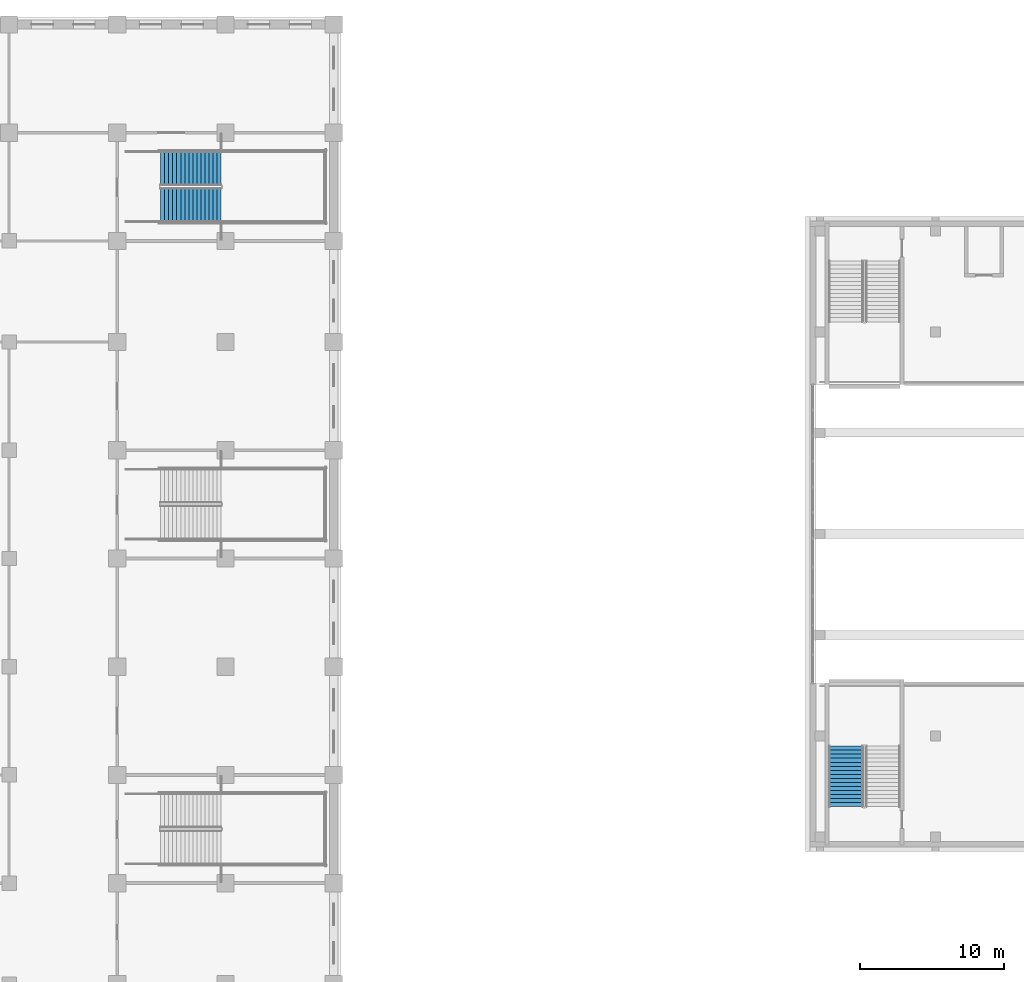
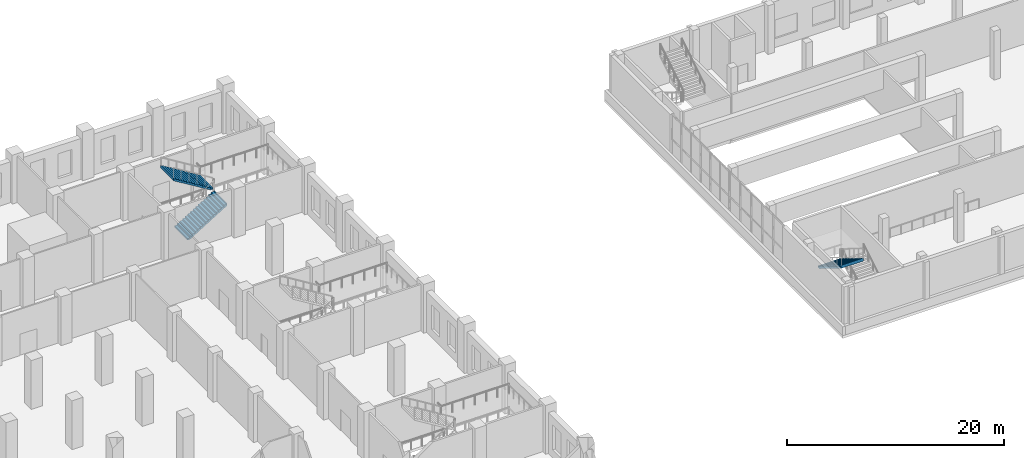
# One storey, part 21 of 35: 3 stair flights, 2 elements without a shape of their own.
"""IFC4 building model written with IfcOpenShell, lengths in metres."""

import ifcopenshell
import ifcopenshell.guid

model = None  # the IFC model being written
_history = None  # IfcOwnerHistory: only IFC2X3 demands one
_inside = {}  # id of a spatial element -> (the spatial element, [elements in it])
_under = {}  # id of a project, library or spatial element -> (it, [spatial elements below it])
_declared = {}  # id of a project -> (the project, [libraries it declares])
_typed = {}  # id of a type object -> (the type object, [elements of that type])
_made_of = {}  # id of a material, layer set ... -> (it, [elements and type objects made of it])


def new_model(schema):
    """Start an empty IFC model of exactly this schema.

    Asked for "IFC4X3", IfcOpenShell would pick the latest addendum, in which some entities
    have other attributes; the version numbers below select the first issue.
    IFC2X3 requires an IfcOwnerHistory on every rooted entity: one is made here for all.
    """
    global model, _history
    if schema == "IFC4X3":
        model = ifcopenshell.file(schema_version=(4, 3, 0, 0))
    else:
        model = ifcopenshell.file(schema=schema)
    _inside.clear()
    _under.clear()
    _declared.clear()
    _typed.clear()
    _made_of.clear()
    _history = None
    if model.schema == "IFC2X3":
        org = make("IfcOrganization", Name="unknown")
        user = make(
            "IfcPersonAndOrganization",
            ThePerson=make("IfcPerson", FamilyName="unknown"),
            TheOrganization=org,
        )
        app = make(
            "IfcApplication",
            ApplicationDeveloper=org,
            Version="unknown",
            ApplicationFullName="unknown",
            ApplicationIdentifier="unknown",
        )
        _history = make(
            "IfcOwnerHistory",
            OwningUser=user,
            OwningApplication=app,
            ChangeAction="ADDED",
            CreationDate=0,
        )
    return model


def make(cls, **values):
    """One entity of the class cls with the attributes given. An attribute that is None is left unset."""
    return model.create_entity(
        cls, **{name: value for name, value in values.items() if value is not None}
    )


def rooted(cls, **values):
    """An entity with a GlobalId (a new one), such as an element, a storey or a relation."""
    return make(cls, GlobalId=ifcopenshell.guid.new(), OwnerHistory=_history, **values)


def si_unit(unit_type, name, prefix=None):
    """IfcSIUnit, for example si_unit("LENGTHUNIT", "METRE", prefix="MILLI")."""
    return make("IfcSIUnit", UnitType=unit_type, Prefix=prefix, Name=name)


def assignment(units):
    """IfcUnitAssignment: the units of a project."""
    return None if units is None else make("IfcUnitAssignment", Units=units)


def point(xyz):
    """IfcCartesianPoint."""
    return None if xyz is None else make("IfcCartesianPoint", Coordinates=xyz)


def direction(xyz):
    """IfcDirection."""
    return None if xyz is None else make("IfcDirection", DirectionRatios=xyz)


def frame(location, z_axis=None, x_axis=None):
    """IfcAxis2Placement3D, a coordinate frame: its origin and axes. An axis left out is left unset."""
    return make(
        "IfcAxis2Placement3D",
        Location=point(location),
        Axis=direction(z_axis),
        RefDirection=direction(x_axis),
    )


def origin():
    """The frame at (0, 0, 0) with its axes left unset."""
    return frame((0.0, 0.0, 0.0))


def place(relative_to, where):
    """IfcLocalPlacement: puts the frame where relative to a parent placement (None: the world)."""
    return make(
        "IfcLocalPlacement", PlacementRelTo=relative_to, RelativePlacement=where
    )


def context(
    kind, dimensions, precision=None, world=None, true_north=None, identifier=None
):
    """IfcGeometricRepresentationContext, for example the 3D "Model" context."""
    return make(
        "IfcGeometricRepresentationContext",
        ContextIdentifier=identifier,
        ContextType=kind,
        CoordinateSpaceDimension=dimensions,
        Precision=precision,
        WorldCoordinateSystem=world,
        TrueNorth=true_north,
    )


def subcontext(parent, identifier, kind, view, scale=None):
    """IfcGeometricRepresentationSubContext, for example "Body" below "Model"."""
    return make(
        "IfcGeometricRepresentationSubContext",
        ContextIdentifier=identifier,
        ContextType=kind,
        ParentContext=parent,
        TargetScale=scale,
        TargetView=view,
    )


def project(units=None, contexts=None):
    """IfcProject with its units and contexts."""
    return rooted(
        "IfcProject",
        Name="project",
        RepresentationContexts=contexts,
        UnitsInContext=assignment(units),
    )


def spatial(cls, under=None, at=None, **own):
    """A site, building, storey or space (cls), placed at a placement, below another one or the project."""
    s = rooted(cls, ObjectPlacement=at, **own)
    if under is not None:
        _under.setdefault(under.id(), (under, []))[1].append(s)
    return s


def polyline(points):
    """IfcPolyline through the points."""
    return make("IfcPolyline", Points=[point(p) for p in points])


def outline(outer, holes=None, kind="AREA"):
    """IfcArbitraryClosedProfileDef: a profile drawn as a closed curve; with holes, ...WithVoids."""
    if holes is None:
        return make("IfcArbitraryClosedProfileDef", ProfileType=kind, OuterCurve=outer)
    return make(
        "IfcArbitraryProfileDefWithVoids",
        ProfileType=kind,
        OuterCurve=outer,
        InnerCurves=holes,
    )


def extrude(swept, where, along, depth):
    """IfcExtrudedAreaSolid: the profile swept, set in the frame where, extruded along a direction by depth."""
    return make(
        "IfcExtrudedAreaSolid",
        SweptArea=swept,
        Position=where,
        ExtrudedDirection=direction(along),
        Depth=depth,
    )


def shape(context_of_items, identifier, shape_type, items):
    """IfcShapeRepresentation: the items that make up one representation, for example the "Body"."""
    return make(
        "IfcShapeRepresentation",
        ContextOfItems=context_of_items,
        RepresentationIdentifier=identifier,
        RepresentationType=shape_type,
        Items=items,
    )


def material(Name=None, Category=None):
    """IfcMaterial."""
    return make("IfcMaterial", Name=Name, Category=Category)


def made_of(thing, what):
    """Note that an element or type object is made of a material, layer set ...; save() writes the relation."""
    if what is not None:
        _made_of.setdefault(what.id(), (what, []))[1].append(thing)
    return thing


def type_object(cls, material=None, **own):
    """A type object (cls), such as IfcWallType, which elements share."""
    return made_of(rooted(cls, **own), material)


def element(
    cls,
    number,
    at=None,
    inside=None,
    cuts=None,
    type_object=None,
    material=None,
    context=None,
    identifier="Body",
    shape_type=None,
    held_by="IfcProductDefinitionShape",
    body=None,
    shapes=None,
    **own,
):
    """One element of the class cls, such as IfcWall. Its Tag is "e" and its number.

    at: its placement. inside: the storey or other place that contains it. cuts: it is an
    opening in that element (IfcRelVoidsElement). A single representation is given by context,
    identifier, shape_type and body (its items); several are given by shapes. held_by: the class
    of the entity that holds the representations. save() writes the other relations.
    """
    e = rooted(cls, Tag="e%d" % number, ObjectPlacement=at, **own)
    if body is not None:
        shapes = [shape(context, identifier, shape_type, body)]
    if shapes is not None:
        e.Representation = make(held_by, Representations=shapes)
    if inside is not None:
        _inside.setdefault(inside.id(), (inside, []))[1].append(e)
    if cuts is not None:
        rooted(
            "IfcRelVoidsElement", RelatingBuildingElement=cuts, RelatedOpeningElement=e
        )
    if type_object is not None:
        _typed.setdefault(type_object.id(), (type_object, []))[1].append(e)
    return made_of(e, material)


def aggregate(whole, parts):
    """IfcRelAggregates: a whole, such as a stair, and the parts it consists of."""
    return rooted("IfcRelAggregates", RelatingObject=whole, RelatedObjects=parts)


def save(model, path):
    """Write the relations noted so far, then the file.

    IfcRelAggregates (storeys below a building ...), IfcRelContainedInSpatialStructure (elements
    in a storey), IfcRelDefinesByType, IfcRelAssociatesMaterial and IfcRelDeclares: one each for
    every whole, place, type object, material and project.
    """
    for whole, parts in _under.values():
        aggregate(whole, parts)
    for where, things in _inside.values():
        rooted(
            "IfcRelContainedInSpatialStructure",
            RelatedElements=things,
            RelatingStructure=where,
        )
    for kind, things in _typed.values():
        rooted("IfcRelDefinesByType", RelatedObjects=things, RelatingType=kind)
    for what, things in _made_of.values():
        rooted("IfcRelAssociatesMaterial", RelatedObjects=things, RelatingMaterial=what)
    for by, libraries in _declared.values():
        rooted("IfcRelDeclares", RelatingContext=by, RelatedDefinitions=libraries)
    model.write(path)


model = new_model("IFC4")

# Units and contexts
model_context = context("Model", 3, precision=1e-05, world=origin(), true_north=direction((0.0, 1.0)))
body_context = subcontext(model_context, "Body", "Model", "MODEL_VIEW")
ifc_project = project(units=[si_unit("LENGTHUNIT", "METRE"), si_unit("AREAUNIT", "SQUARE_METRE"), si_unit("VOLUMEUNIT", "CUBIC_METRE"), si_unit("PLANEANGLEUNIT", "RADIAN"), si_unit("MASSUNIT", "GRAM", prefix="KILO")], contexts=[model_context])

# Site, building, storey
site_placement = place(None, origin())
site = spatial("IfcSite", under=ifc_project, at=site_placement, CompositionType="ELEMENT")
building_placement = place(site_placement, origin())
building = spatial("IfcBuilding", under=site, at=building_placement, Name="Tamorin Gate", CompositionType="ELEMENT")
storey_placement = place(building_placement, frame((0.0, 0.0, 8.0)))
storey = spatial("IfcBuildingStorey", under=building, at=storey_placement, Name="L01", CompositionType="ELEMENT", Elevation=8.0)

# Stair, stair flight
ifc_material_1 = material(Name="Concrete C40/50", Category="concrete")
stair_type_1 = type_object("IfcStairType", Name="Museum exit stair 2400 C40/50", PredefinedType="HALF_TURN_STAIR", material=ifc_material_1)
stair_1_placement = place(storey_placement, origin())
stair_1 = element("IfcStair", 1, at=stair_1_placement, inside=storey, type_object=stair_type_1, Name="L01 PS8", PredefinedType="HALF_TURN_STAIR")
stair_flight_type_1 = type_object("IfcStairFlightType", Name="Museum exit stair flight 2400 C40/50", PredefinedType="STRAIGHT", material=ifc_material_1)
stair_flight_1_placement = place(storey_placement, frame((147.5, 62.0, 2.75), z_axis=(0.0, 0.0, 1.0), x_axis=(0.0, -1.0, 0.0)))
stair_flight_1 = element("IfcStairFlight", 2, at=stair_flight_1_placement, type_object=stair_flight_type_1, Name="PS8 flight 2", NumberOfRisers=16, NumberOfTreads=15, PredefinedType="STRAIGHT", RiserHeight=0.171875, TreadLength=0.28, context=body_context, shape_type="SweptSolid", body=[
    extrude(outline(polyline([(-0.00048828125, 0.0), (-0.00048828125, 0.001708984375), (-0.00048828125, 0.00341796875), (-0.00048828125, 0.005126953125), (-0.00048828125, 0.0068359375), (-0.00048828125, 0.008544921875), (-0.00048828125, 0.01025390625), (-0.00048828125, 0.011962890625), (-0.00048828125, 0.013671875), (-0.00048828125, 0.015380859375), (-0.00048828125, 0.01708984375), (-0.00048828125, 0.018798828125), (-0.00048828125, 0.0205078125), (-0.00048828125, 0.022216796875), (-0.00048828125, 0.02392578125), (-0.00048828125, 0.025634765625), (-0.00048828125, 0.02734375), (-0.00048828125, 0.02880859375), (-0.00048828125, 0.030517578125), (-0.00048828125, 0.0322265625), (-0.00048828125, 0.033935546875), (-0.00048828125, 0.03564453125), (-0.00048828125, 0.037353515625), (-0.00048828125, 0.0390625), (-0.00048828125, 0.040771484375), (-0.00048828125, 0.04248046875), (-0.00048828125, 0.044189453125), (-0.00048828125, 0.0458984375), (-0.00048828125, 0.047607421875), (-0.00048828125, 0.04931640625), (-0.00048828125, 0.051025390625), (-0.00048828125, 0.052734375), (-0.00048828125, 0.054443359375), (-0.00048828125, 0.05615234375), (-0.00048828125, 0.057861328125), (-0.00048828125, 0.0595703125), (-0.00048828125, 0.061279296875), (-0.00048828125, 0.06298828125), (-0.00048828125, 0.064697265625), (-0.00048828125, 0.06640625), (-0.00048828125, 0.068115234375), (-0.00048828125, 0.06982421875), (-0.00048828125, 0.071533203125), (-0.00048828125, 0.0732421875), (-0.00048828125, 0.074951171875), (-0.00048828125, 0.07666015625), (-0.00048828125, 0.078369140625), (-0.00048828125, 0.080078125), (-0.00048828125, 0.081787109375), (-0.00048828125, 0.08349609375), (-0.00048828125, 0.085205078125), (-0.00048828125, 0.086669921875), (-0.00048828125, 0.08837890625), (-0.00048828125, 0.090087890625), (-0.00048828125, 0.091796875), (-0.00048828125, 0.093505859375), (-0.00048828125, 0.09521484375), (-0.00048828125, 0.096923828125), (-0.00048828125, 0.0986328125), (-0.00048828125, 0.100341796875), (-0.00048828125, 0.10205078125), (-0.00048828125, 0.103759765625), (-0.00048828125, 0.10546875), (-0.00048828125, 0.107177734375), (-0.00048828125, 0.10888671875), (-0.00048828125, 0.110595703125), (-0.00048828125, 0.1123046875), (-0.00048828125, 0.114013671875), (-0.00048828125, 0.11572265625), (-0.00048828125, 0.117431640625), (-0.00048828125, 0.119140625), (-0.00048828125, 0.120849609375), (-0.00048828125, 0.12255859375), (-0.00048828125, 0.124267578125), (-0.00048828125, 0.1259765625), (-0.00048828125, 0.127685546875), (-0.00048828125, 0.12939453125), (-0.00048828125, 0.131103515625), (-0.00048828125, 0.1328125), (-0.00048828125, 0.134521484375), (-0.00048828125, 0.13623046875), (-0.00048828125, 0.137939453125), (-0.00048828125, 0.1396484375), (-0.00048828125, 0.141357421875), (-0.00048828125, 0.14306640625), (-0.00048828125, 0.14453125), (-0.00048828125, 0.146240234375), (-0.00048828125, 0.14794921875), (-0.00048828125, 0.149658203125), (-0.00048828125, 0.1513671875), (-0.00048828125, 0.153076171875), (-0.00048828125, 0.15478515625), (-0.00048828125, 0.156494140625), (-0.00048828125, 0.158203125), (-0.00048828125, 0.159912109375), (-0.00048828125, 0.16162109375), (-0.00048828125, 0.163330078125), (-0.00048828125, 0.1650390625), (-0.00048828125, 0.166748046875), (-0.00048828125, 0.16845703125), (-0.00048828125, 0.170166015625), (-0.00048828125, 0.171875), (0.280029296875, 0.171875), (0.280029296875, 0.34375), (0.56005859375, 0.34375), (0.56005859375, 0.515625), (0.840087890625, 0.515625), (0.840087890625, 0.6875), (1.1201171875, 0.6875), (1.1201171875, 0.859375), (1.39990234375, 0.859375), (1.39990234375, 1.03125), (1.679931640625, 1.03125), (1.679931640625, 1.203125), (1.9599609375, 1.203125), (1.9599609375, 1.375), (2.239990234375, 1.375), (2.239990234375, 1.546875), (2.52001953125, 1.546875), (2.52001953125, 1.71875), (2.800048828125, 1.71875), (2.800048828125, 1.890625), (3.080078125, 1.890625), (3.080078125, 2.0625), (3.360107421875, 2.0625), (3.360107421875, 2.234375), (3.639892578125, 2.234375), (3.639892578125, 2.40625), (3.919921875, 2.40625), (3.919921875, 2.578125), (4.199951171875, 2.578125), (4.199951171875, 2.75), (4.200439453125, 2.75), (4.200439453125, 2.74658203125), (4.200439453125, 2.7431640625), (4.200439453125, 2.73974609375), (4.200439453125, 2.736328125), (4.200439453125, 2.732666015625), (4.200439453125, 2.729248046875), (4.200439453125, 2.725830078125), (4.200439453125, 2.722412109375), (4.200439453125, 2.718994140625), (4.200439453125, 2.715576171875), (4.200439453125, 2.712158203125), (4.200439453125, 2.708740234375), (4.200439453125, 2.705322265625), (4.200439453125, 2.701904296875), (4.200439453125, 2.6982421875), (4.200439453125, 2.69482421875), (4.200439453125, 2.69140625), (4.200439453125, 2.68798828125), (4.200439453125, 2.6845703125), (4.200439453125, 2.68115234375), (4.200439453125, 2.677734375), (4.200439453125, 2.67431640625), (4.200439453125, 2.6708984375), (4.200439453125, 2.66748046875), (4.200439453125, 2.663818359375), (4.200439453125, 2.660400390625), (4.200439453125, 2.656982421875), (4.200439453125, 2.653564453125), (4.200439453125, 2.650146484375), (4.200439453125, 2.646728515625), (4.200439453125, 2.643310546875), (4.200439453125, 2.639892578125), (4.200439453125, 2.636474609375), (4.200439453125, 2.6328125), (4.200439453125, 2.62939453125), (4.200439453125, 2.6259765625), (4.200439453125, 2.62255859375), (4.200439453125, 2.619140625), (4.200439453125, 2.61572265625), (4.200439453125, 2.6123046875), (4.200439453125, 2.60888671875), (4.200439453125, 2.60546875), (4.200439453125, 2.60205078125), (4.200439453125, 2.598388671875), (4.200439453125, 2.594970703125), (4.200439453125, 2.591552734375), (4.200439453125, 2.588134765625), (4.200439453125, 2.584716796875), (4.200439453125, 2.581298828125), (4.200439453125, 2.577880859375), (4.200439453125, 2.574462890625), (4.200439453125, 2.571044921875), (4.200439453125, 2.567626953125), (4.200439453125, 2.56396484375), (4.200439453125, 2.560546875), (4.200439453125, 2.55712890625), (4.200439453125, 2.5537109375), (4.200439453125, 2.55029296875), (4.200439453125, 2.546875), (4.200439453125, 2.54345703125), (4.200439453125, 2.5400390625), (4.200439453125, 2.53662109375), (4.200439453125, 2.532958984375), (4.200439453125, 2.529541015625), (4.200439453125, 2.526123046875), (4.200439453125, 2.522705078125), (4.200439453125, 2.519287109375), (4.200439453125, 2.515869140625), (4.200439453125, 2.512451171875), (4.200439453125, 2.509033203125), (4.200439453125, 2.505615234375), (4.200439453125, 2.502197265625), (4.200439453125, 2.49853515625), (4.200439453125, 2.4951171875), (4.200439453125, 2.49169921875), (4.200439453125, 2.48828125), (4.200439453125, 2.48486328125), (4.200439453125, 2.4814453125), (4.200439453125, 2.47802734375), (4.200439453125, 2.474609375), (4.200439453125, 2.47119140625), (4.200439453125, 2.4677734375), (4.200439453125, 2.464111328125), (4.200439453125, 2.460693359375), (4.200439453125, 2.457275390625), (4.200439453125, 2.453857421875), (4.200439453125, 2.450439453125), (4.200439453125, 2.447021484375), (4.200439453125, 2.443603515625), (4.200439453125, 2.440185546875), (4.200439453125, 2.436767578125), (4.200439453125, 2.43310546875), (4.200439453125, 2.4296875), (4.200439453125, 2.42626953125), (4.200439453125, 2.4228515625), (4.200439453125, 2.41943359375), (4.200439453125, 2.416015625), (4.200439453125, 2.41259765625), (4.200439453125, 2.4091796875), (4.200439453125, 2.40576171875), (4.200439453125, 2.40234375), (4.199951171875, 2.40234375), (0.28662109375, 0.0), (-0.00048828125, 0.0)])), frame((0.0, 1.199951171875, 0.0), z_axis=(0.0, -1.0, 0.0), x_axis=(1.0, 0.0, 0.0)), (0.0, 0.0, 1.0), 2.39990234375),
])
aggregate(stair_1, [stair_flight_1])

# Stair, stair flights
ifc_material_2 = material(Name="Reinforced concrete C32/40", Category="concrete")
stair_type_2 = type_object("IfcStairType", Name="Podium stair PS", PredefinedType="HALF_TURN_STAIR", material=ifc_material_2)
stair_2_placement = place(storey_placement, origin())
stair_2 = element("IfcStair", 3, at=stair_2_placement, inside=storey, type_object=stair_type_2, Name="L01 Podium stair PS4", PredefinedType="HALF_TURN_STAIR")
stair_flight_type_2 = type_object("IfcStairFlightType", Name="Stair flight 2400", PredefinedType="STRAIGHT", material=ifc_material_2)
stair_flight_2_placement = place(storey_placement, frame((100.0, 99.47509765625, 0.0), z_axis=(0.0, 0.0, 1.0), x_axis=(1.0, 0.0, 0.0)))
stair_flight_2 = element("IfcStairFlight", 4, at=stair_flight_2_placement, type_object=stair_flight_type_2, Name="PS4 flight 1", NumberOfRisers=16, NumberOfTreads=15, PredefinedType="STRAIGHT", RiserHeight=0.171875, TreadLength=0.28, context=body_context, shape_type="SweptSolid", body=[
    extrude(outline(polyline([(-0.00048828125, 0.0), (-0.00048828125, 0.001708984375), (-0.00048828125, 0.00341796875), (-0.00048828125, 0.005126953125), (-0.00048828125, 0.0068359375), (-0.00048828125, 0.008544921875), (-0.00048828125, 0.01025390625), (-0.00048828125, 0.011962890625), (-0.00048828125, 0.013671875), (-0.00048828125, 0.015380859375), (-0.00048828125, 0.01708984375), (-0.00048828125, 0.018798828125), (-0.00048828125, 0.0205078125), (-0.00048828125, 0.022216796875), (-0.00048828125, 0.02392578125), (-0.00048828125, 0.025634765625), (-0.00048828125, 0.02734375), (-0.00048828125, 0.02880859375), (-0.00048828125, 0.030517578125), (-0.00048828125, 0.0322265625), (-0.00048828125, 0.033935546875), (-0.00048828125, 0.03564453125), (-0.00048828125, 0.037353515625), (-0.00048828125, 0.0390625), (-0.00048828125, 0.040771484375), (-0.00048828125, 0.04248046875), (-0.00048828125, 0.044189453125), (-0.00048828125, 0.0458984375), (-0.00048828125, 0.047607421875), (-0.00048828125, 0.04931640625), (-0.00048828125, 0.051025390625), (-0.00048828125, 0.052734375), (-0.00048828125, 0.054443359375), (-0.00048828125, 0.05615234375), (-0.00048828125, 0.057861328125), (-0.00048828125, 0.0595703125), (-0.00048828125, 0.061279296875), (-0.00048828125, 0.06298828125), (-0.00048828125, 0.064697265625), (-0.00048828125, 0.06640625), (-0.00048828125, 0.068115234375), (-0.00048828125, 0.06982421875), (-0.00048828125, 0.071533203125), (-0.00048828125, 0.0732421875), (-0.00048828125, 0.074951171875), (-0.00048828125, 0.07666015625), (-0.00048828125, 0.078369140625), (-0.00048828125, 0.080078125), (-0.00048828125, 0.081787109375), (-0.00048828125, 0.08349609375), (-0.00048828125, 0.085205078125), (-0.00048828125, 0.086669921875), (-0.00048828125, 0.08837890625), (-0.00048828125, 0.090087890625), (-0.00048828125, 0.091796875), (-0.00048828125, 0.093505859375), (-0.00048828125, 0.09521484375), (-0.00048828125, 0.096923828125), (-0.00048828125, 0.0986328125), (-0.00048828125, 0.100341796875), (-0.00048828125, 0.10205078125), (-0.00048828125, 0.103759765625), (-0.00048828125, 0.10546875), (-0.00048828125, 0.107177734375), (-0.00048828125, 0.10888671875), (-0.00048828125, 0.110595703125), (-0.00048828125, 0.1123046875), (-0.00048828125, 0.114013671875), (-0.00048828125, 0.11572265625), (-0.00048828125, 0.117431640625), (-0.00048828125, 0.119140625), (-0.00048828125, 0.120849609375), (-0.00048828125, 0.12255859375), (-0.00048828125, 0.124267578125), (-0.00048828125, 0.1259765625), (-0.00048828125, 0.127685546875), (-0.00048828125, 0.12939453125), (-0.00048828125, 0.131103515625), (-0.00048828125, 0.1328125), (-0.00048828125, 0.134521484375), (-0.00048828125, 0.13623046875), (-0.00048828125, 0.137939453125), (-0.00048828125, 0.1396484375), (-0.00048828125, 0.141357421875), (-0.00048828125, 0.14306640625), (-0.00048828125, 0.14453125), (-0.00048828125, 0.146240234375), (-0.00048828125, 0.14794921875), (-0.00048828125, 0.149658203125), (-0.00048828125, 0.1513671875), (-0.00048828125, 0.153076171875), (-0.00048828125, 0.15478515625), (-0.00048828125, 0.156494140625), (-0.00048828125, 0.158203125), (-0.00048828125, 0.159912109375), (-0.00048828125, 0.16162109375), (-0.00048828125, 0.163330078125), (-0.00048828125, 0.1650390625), (-0.00048828125, 0.166748046875), (-0.00048828125, 0.16845703125), (-0.00048828125, 0.170166015625), (-0.00048828125, 0.171875), (0.280029296875, 0.171875), (0.280029296875, 0.34375), (0.56005859375, 0.34375), (0.56005859375, 0.515625), (0.840087890625, 0.515625), (0.840087890625, 0.6875), (1.1201171875, 0.6875), (1.1201171875, 0.859375), (1.39990234375, 0.859375), (1.39990234375, 1.03125), (1.679931640625, 1.03125), (1.679931640625, 1.203125), (1.9599609375, 1.203125), (1.9599609375, 1.375), (2.239990234375, 1.375), (2.239990234375, 1.546875), (2.52001953125, 1.546875), (2.52001953125, 1.71875), (2.800048828125, 1.71875), (2.800048828125, 1.890625), (3.080078125, 1.890625), (3.080078125, 2.0625), (3.360107421875, 2.0625), (3.360107421875, 2.234375), (3.639892578125, 2.234375), (3.639892578125, 2.40625), (3.919921875, 2.40625), (3.919921875, 2.578125), (4.199951171875, 2.578125), (4.199951171875, 2.75), (4.200439453125, 2.75), (4.200439453125, 2.74658203125), (4.200439453125, 2.7431640625), (4.200439453125, 2.73974609375), (4.200439453125, 2.736328125), (4.200439453125, 2.732666015625), (4.200439453125, 2.729248046875), (4.200439453125, 2.725830078125), (4.200439453125, 2.722412109375), (4.200439453125, 2.718994140625), (4.200439453125, 2.715576171875), (4.200439453125, 2.712158203125), (4.200439453125, 2.708740234375), (4.200439453125, 2.705322265625), (4.200439453125, 2.701904296875), (4.200439453125, 2.6982421875), (4.200439453125, 2.69482421875), (4.200439453125, 2.69140625), (4.200439453125, 2.68798828125), (4.200439453125, 2.6845703125), (4.200439453125, 2.68115234375), (4.200439453125, 2.677734375), (4.200439453125, 2.67431640625), (4.200439453125, 2.6708984375), (4.200439453125, 2.66748046875), (4.200439453125, 2.663818359375), (4.200439453125, 2.660400390625), (4.200439453125, 2.656982421875), (4.200439453125, 2.653564453125), (4.200439453125, 2.650146484375), (4.200439453125, 2.646728515625), (4.200439453125, 2.643310546875), (4.200439453125, 2.639892578125), (4.200439453125, 2.636474609375), (4.200439453125, 2.6328125), (4.200439453125, 2.62939453125), (4.200439453125, 2.6259765625), (4.200439453125, 2.62255859375), (4.200439453125, 2.619140625), (4.200439453125, 2.61572265625), (4.200439453125, 2.6123046875), (4.200439453125, 2.60888671875), (4.200439453125, 2.60546875), (4.200439453125, 2.60205078125), (4.200439453125, 2.598388671875), (4.200439453125, 2.594970703125), (4.200439453125, 2.591552734375), (4.200439453125, 2.588134765625), (4.200439453125, 2.584716796875), (4.200439453125, 2.581298828125), (4.200439453125, 2.577880859375), (4.200439453125, 2.574462890625), (4.200439453125, 2.571044921875), (4.200439453125, 2.567626953125), (4.200439453125, 2.56396484375), (4.200439453125, 2.560546875), (4.200439453125, 2.55712890625), (4.200439453125, 2.5537109375), (4.200439453125, 2.55029296875), (4.200439453125, 2.546875), (4.200439453125, 2.54345703125), (4.200439453125, 2.5400390625), (4.200439453125, 2.53662109375), (4.200439453125, 2.532958984375), (4.200439453125, 2.529541015625), (4.200439453125, 2.526123046875), (4.200439453125, 2.522705078125), (4.200439453125, 2.519287109375), (4.200439453125, 2.515869140625), (4.200439453125, 2.512451171875), (4.200439453125, 2.509033203125), (4.200439453125, 2.505615234375), (4.200439453125, 2.502197265625), (4.200439453125, 2.49853515625), (4.200439453125, 2.4951171875), (4.200439453125, 2.49169921875), (4.200439453125, 2.48828125), (4.200439453125, 2.48486328125), (4.200439453125, 2.4814453125), (4.200439453125, 2.47802734375), (4.200439453125, 2.474609375), (4.200439453125, 2.47119140625), (4.200439453125, 2.4677734375), (4.200439453125, 2.464111328125), (4.200439453125, 2.460693359375), (4.200439453125, 2.457275390625), (4.200439453125, 2.453857421875), (4.200439453125, 2.450439453125), (4.200439453125, 2.447021484375), (4.200439453125, 2.443603515625), (4.200439453125, 2.440185546875), (4.200439453125, 2.436767578125), (4.200439453125, 2.43310546875), (4.200439453125, 2.4296875), (4.200439453125, 2.42626953125), (4.200439453125, 2.4228515625), (4.200439453125, 2.41943359375), (4.200439453125, 2.416015625), (4.200439453125, 2.41259765625), (4.200439453125, 2.4091796875), (4.200439453125, 2.40576171875), (4.200439453125, 2.40234375), (4.199951171875, 2.40234375), (0.28662109375, 0.0), (-0.00048828125, 0.0)])), frame((0.0, 1.199951171875, 0.0), z_axis=(0.0, -1.0, 0.0), x_axis=(1.0, 0.0, 0.0)), (0.0, 0.0, 1.0), 2.39990234375),
])
stair_flight_3_placement = place(storey_placement, frame((104.199951171875, 102.02490234375, 2.75), z_axis=(0.0, 0.0, 1.0), x_axis=(-1.0, 0.0, 0.0)))
stair_flight_3 = element("IfcStairFlight", 5, at=stair_flight_3_placement, type_object=stair_flight_type_2, Name="PS4 flight 2", NumberOfRisers=16, NumberOfTreads=15, PredefinedType="STRAIGHT", RiserHeight=0.171875, TreadLength=0.28, context=body_context, shape_type="SweptSolid", body=[
    extrude(outline(polyline([(-0.00048828125, 0.0), (-0.00048828125, 0.001708984375), (-0.00048828125, 0.00341796875), (-0.00048828125, 0.005126953125), (-0.00048828125, 0.0068359375), (-0.00048828125, 0.008544921875), (-0.00048828125, 0.01025390625), (-0.00048828125, 0.011962890625), (-0.00048828125, 0.013671875), (-0.00048828125, 0.015380859375), (-0.00048828125, 0.01708984375), (-0.00048828125, 0.018798828125), (-0.00048828125, 0.0205078125), (-0.00048828125, 0.022216796875), (-0.00048828125, 0.02392578125), (-0.00048828125, 0.025634765625), (-0.00048828125, 0.02734375), (-0.00048828125, 0.02880859375), (-0.00048828125, 0.030517578125), (-0.00048828125, 0.0322265625), (-0.00048828125, 0.033935546875), (-0.00048828125, 0.03564453125), (-0.00048828125, 0.037353515625), (-0.00048828125, 0.0390625), (-0.00048828125, 0.040771484375), (-0.00048828125, 0.04248046875), (-0.00048828125, 0.044189453125), (-0.00048828125, 0.0458984375), (-0.00048828125, 0.047607421875), (-0.00048828125, 0.04931640625), (-0.00048828125, 0.051025390625), (-0.00048828125, 0.052734375), (-0.00048828125, 0.054443359375), (-0.00048828125, 0.05615234375), (-0.00048828125, 0.057861328125), (-0.00048828125, 0.0595703125), (-0.00048828125, 0.061279296875), (-0.00048828125, 0.06298828125), (-0.00048828125, 0.064697265625), (-0.00048828125, 0.06640625), (-0.00048828125, 0.068115234375), (-0.00048828125, 0.06982421875), (-0.00048828125, 0.071533203125), (-0.00048828125, 0.0732421875), (-0.00048828125, 0.074951171875), (-0.00048828125, 0.07666015625), (-0.00048828125, 0.078369140625), (-0.00048828125, 0.080078125), (-0.00048828125, 0.081787109375), (-0.00048828125, 0.08349609375), (-0.00048828125, 0.085205078125), (-0.00048828125, 0.086669921875), (-0.00048828125, 0.08837890625), (-0.00048828125, 0.090087890625), (-0.00048828125, 0.091796875), (-0.00048828125, 0.093505859375), (-0.00048828125, 0.09521484375), (-0.00048828125, 0.096923828125), (-0.00048828125, 0.0986328125), (-0.00048828125, 0.100341796875), (-0.00048828125, 0.10205078125), (-0.00048828125, 0.103759765625), (-0.00048828125, 0.10546875), (-0.00048828125, 0.107177734375), (-0.00048828125, 0.10888671875), (-0.00048828125, 0.110595703125), (-0.00048828125, 0.1123046875), (-0.00048828125, 0.114013671875), (-0.00048828125, 0.11572265625), (-0.00048828125, 0.117431640625), (-0.00048828125, 0.119140625), (-0.00048828125, 0.120849609375), (-0.00048828125, 0.12255859375), (-0.00048828125, 0.124267578125), (-0.00048828125, 0.1259765625), (-0.00048828125, 0.127685546875), (-0.00048828125, 0.12939453125), (-0.00048828125, 0.131103515625), (-0.00048828125, 0.1328125), (-0.00048828125, 0.134521484375), (-0.00048828125, 0.13623046875), (-0.00048828125, 0.137939453125), (-0.00048828125, 0.1396484375), (-0.00048828125, 0.141357421875), (-0.00048828125, 0.14306640625), (-0.00048828125, 0.14453125), (-0.00048828125, 0.146240234375), (-0.00048828125, 0.14794921875), (-0.00048828125, 0.149658203125), (-0.00048828125, 0.1513671875), (-0.00048828125, 0.153076171875), (-0.00048828125, 0.15478515625), (-0.00048828125, 0.156494140625), (-0.00048828125, 0.158203125), (-0.00048828125, 0.159912109375), (-0.00048828125, 0.16162109375), (-0.00048828125, 0.163330078125), (-0.00048828125, 0.1650390625), (-0.00048828125, 0.166748046875), (-0.00048828125, 0.16845703125), (-0.00048828125, 0.170166015625), (-0.00048828125, 0.171875), (0.280029296875, 0.171875), (0.280029296875, 0.34375), (0.56005859375, 0.34375), (0.56005859375, 0.515625), (0.840087890625, 0.515625), (0.840087890625, 0.6875), (1.1201171875, 0.6875), (1.1201171875, 0.859375), (1.39990234375, 0.859375), (1.39990234375, 1.03125), (1.679931640625, 1.03125), (1.679931640625, 1.203125), (1.9599609375, 1.203125), (1.9599609375, 1.375), (2.239990234375, 1.375), (2.239990234375, 1.546875), (2.52001953125, 1.546875), (2.52001953125, 1.71875), (2.800048828125, 1.71875), (2.800048828125, 1.890625), (3.080078125, 1.890625), (3.080078125, 2.0625), (3.360107421875, 2.0625), (3.360107421875, 2.234375), (3.639892578125, 2.234375), (3.639892578125, 2.40625), (3.919921875, 2.40625), (3.919921875, 2.578125), (4.199951171875, 2.578125), (4.199951171875, 2.75), (4.200439453125, 2.75), (4.200439453125, 2.74658203125), (4.200439453125, 2.7431640625), (4.200439453125, 2.73974609375), (4.200439453125, 2.736328125), (4.200439453125, 2.732666015625), (4.200439453125, 2.729248046875), (4.200439453125, 2.725830078125), (4.200439453125, 2.722412109375), (4.200439453125, 2.718994140625), (4.200439453125, 2.715576171875), (4.200439453125, 2.712158203125), (4.200439453125, 2.708740234375), (4.200439453125, 2.705322265625), (4.200439453125, 2.701904296875), (4.200439453125, 2.6982421875), (4.200439453125, 2.69482421875), (4.200439453125, 2.69140625), (4.200439453125, 2.68798828125), (4.200439453125, 2.6845703125), (4.200439453125, 2.68115234375), (4.200439453125, 2.677734375), (4.200439453125, 2.67431640625), (4.200439453125, 2.6708984375), (4.200439453125, 2.66748046875), (4.200439453125, 2.663818359375), (4.200439453125, 2.660400390625), (4.200439453125, 2.656982421875), (4.200439453125, 2.653564453125), (4.200439453125, 2.650146484375), (4.200439453125, 2.646728515625), (4.200439453125, 2.643310546875), (4.200439453125, 2.639892578125), (4.200439453125, 2.636474609375), (4.200439453125, 2.6328125), (4.200439453125, 2.62939453125), (4.200439453125, 2.6259765625), (4.200439453125, 2.62255859375), (4.200439453125, 2.619140625), (4.200439453125, 2.61572265625), (4.200439453125, 2.6123046875), (4.200439453125, 2.60888671875), (4.200439453125, 2.60546875), (4.200439453125, 2.60205078125), (4.200439453125, 2.598388671875), (4.200439453125, 2.594970703125), (4.200439453125, 2.591552734375), (4.200439453125, 2.588134765625), (4.200439453125, 2.584716796875), (4.200439453125, 2.581298828125), (4.200439453125, 2.577880859375), (4.200439453125, 2.574462890625), (4.200439453125, 2.571044921875), (4.200439453125, 2.567626953125), (4.200439453125, 2.56396484375), (4.200439453125, 2.560546875), (4.200439453125, 2.55712890625), (4.200439453125, 2.5537109375), (4.200439453125, 2.55029296875), (4.200439453125, 2.546875), (4.200439453125, 2.54345703125), (4.200439453125, 2.5400390625), (4.200439453125, 2.53662109375), (4.200439453125, 2.532958984375), (4.200439453125, 2.529541015625), (4.200439453125, 2.526123046875), (4.200439453125, 2.522705078125), (4.200439453125, 2.519287109375), (4.200439453125, 2.515869140625), (4.200439453125, 2.512451171875), (4.200439453125, 2.509033203125), (4.200439453125, 2.505615234375), (4.200439453125, 2.502197265625), (4.200439453125, 2.49853515625), (4.200439453125, 2.4951171875), (4.200439453125, 2.49169921875), (4.200439453125, 2.48828125), (4.200439453125, 2.48486328125), (4.200439453125, 2.4814453125), (4.200439453125, 2.47802734375), (4.200439453125, 2.474609375), (4.200439453125, 2.47119140625), (4.200439453125, 2.4677734375), (4.200439453125, 2.464111328125), (4.200439453125, 2.460693359375), (4.200439453125, 2.457275390625), (4.200439453125, 2.453857421875), (4.200439453125, 2.450439453125), (4.200439453125, 2.447021484375), (4.200439453125, 2.443603515625), (4.200439453125, 2.440185546875), (4.200439453125, 2.436767578125), (4.200439453125, 2.43310546875), (4.200439453125, 2.4296875), (4.200439453125, 2.42626953125), (4.200439453125, 2.4228515625), (4.200439453125, 2.41943359375), (4.200439453125, 2.416015625), (4.200439453125, 2.41259765625), (4.200439453125, 2.4091796875), (4.200439453125, 2.40576171875), (4.200439453125, 2.40234375), (4.199951171875, 2.40234375), (0.28662109375, 0.0), (-0.00048828125, 0.0)])), frame((0.0, 1.199951171875, 0.0), z_axis=(0.0, -1.0, 0.0), x_axis=(1.0, 0.0, 0.0)), (0.0, 0.0, 1.0), 2.39990234375),
])
aggregate(stair_2, [stair_flight_2, stair_flight_3])

save(model, "model.ifc")
